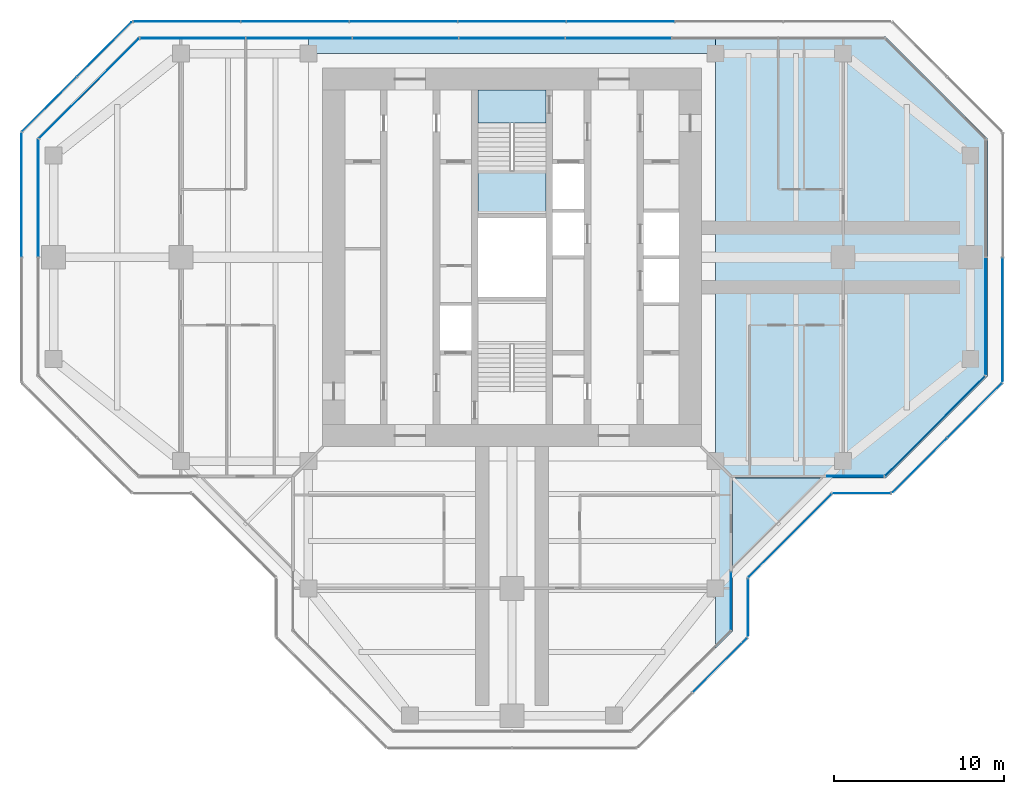
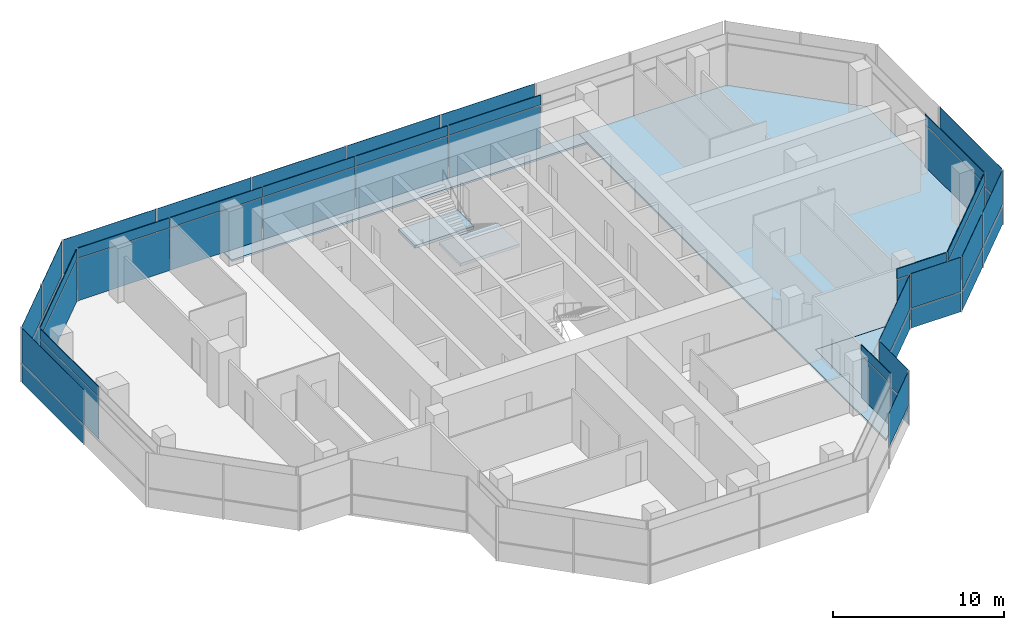
# One storey, part 10 of 16: 51 plates, 5 slabs, 17 elements without a shape of their own.
"""IFC4 building model written with IfcOpenShell, lengths in metres."""

from ifc_helpers import new_model, si_unit, direction, frame, origin, origin_2d, place, context, subcontext, project, spatial, polyline, rectangle, outline, extrude, material, layer, layer_set, type_object, element, aggregate, save


model = new_model("IFC4")

# Units and contexts
model_context = context("Model", 3, precision=1e-05, world=origin(), true_north=direction((0.0, 1.0)))
body_context = subcontext(model_context, "Body", "Model", "MODEL_VIEW")
ifc_project = project(units=[si_unit("LENGTHUNIT", "METRE"), si_unit("AREAUNIT", "SQUARE_METRE"), si_unit("VOLUMEUNIT", "CUBIC_METRE"), si_unit("PLANEANGLEUNIT", "RADIAN"), si_unit("MASSUNIT", "GRAM", prefix="KILO")], contexts=[model_context])

# Site, building, storey
site_placement = place(None, origin())
site = spatial("IfcSite", under=ifc_project, at=site_placement, CompositionType="ELEMENT")
building_placement = place(site_placement, origin())
building = spatial("IfcBuilding", under=site, at=building_placement, Name="Mizan Broadcast Tower", CompositionType="ELEMENT")
storey_placement = place(building_placement, frame((0.0, 0.0, 290.699951171875)))
storey = spatial("IfcBuildingStorey", under=building, at=storey_placement, Name="L69", CompositionType="ELEMENT", Elevation=290.699951171875)

# Slabs
ifc_material_1 = material(Name="Concrete C32/40", Category="concrete")
ifc_layer_1 = layer(ifc_material_1, 0.1298828125)
ifc_layer_set_1 = layer_set([ifc_layer_1], Name="Concrete C32/40")
slab_type_1 = type_object("IfcSlabType", Name="COMPOSITE DECK SLAB 130", PredefinedType="FLOOR", material=ifc_layer_set_1)
slab_1_placement = place(storey_placement, frame((0.0, 0.0, -0.1298828125)))
element("IfcSlab", 1, at=slab_1_placement, inside=storey, type_object=slab_type_1, Name="Floor slab L69 east arm", PredefinedType="FLOOR", context=body_context, shape_type="SweptSolid", body=[
    extrude(outline(polyline([(12.0, -23.0), (13.0, -22.0), (13.0, -13.0), (22.0, -13.0), (28.0, -7.0), (28.0, 7.0), (22.0, 13.0), (13.0, 13.0), (12.0, 13.0), (12.0, -23.0)])), origin(), (0.0, 0.0, 1.0), 0.1298828125),
])
slab_2_placement = place(storey_placement, frame((0.0, 0.0, -0.1298828125)))
element("IfcSlab", 2, at=slab_2_placement, inside=storey, type_object=slab_type_1, Name="Floor slab L69 north arm", PredefinedType="FLOOR", context=body_context, shape_type="SweptSolid", body=[
    extrude(outline(polyline([(12.0, 13.0), (-12.0, 13.0), (-12.0, 12.0), (12.0, 12.0), (12.0, 13.0)])), origin(), (0.0, 0.0, 1.0), 0.1298828125),
])

# Curtain wall, plate
ifc_material_2 = material(Name="Aluminium framed glazing", Category="aluminium")
curtain_wall_type_1 = type_object("IfcCurtainWallType", Name="INNER SKIN TOP ZONE", PredefinedType="USERDEFINED", material=ifc_material_2)
curtain_wall_1_placement = place(storey_placement, origin())
curtain_wall_1 = element("IfcCurtainWall", 3, at=curtain_wall_1_placement, inside=storey, type_object=curtain_wall_type_1, Name="Inner skin top zone L69 E side", ObjectType="INNER SKIN TOP ZONE", PredefinedType="USERDEFINED")
ifc_material_3 = material(Name="Double glazing, clear low-e", Category="glass")
ifc_layer_2 = layer(ifc_material_3, 0.028076171875)
ifc_layer_set_2 = layer_set([ifc_layer_2], Name="Double glazing, clear low-e")
plate_type_1 = type_object("IfcPlateType", Name="INNER SKIN GLAZING UNIT", PredefinedType="CURTAIN_PANEL", material=ifc_layer_set_2)
plate_1_placement = place(storey_placement, frame((20.229248046875, -12.89990234375, 0.0), z_axis=(0.0, 0.0, 1.0), x_axis=(1.0, 0.0, 0.0)))
plate_1 = element("IfcPlate", 4, at=plate_1_placement, type_object=plate_type_1, Name="Inner skin top zone L69 E side panel 1.1", PredefinedType="CURTAIN_PANEL", context=body_context, shape_type="SweptSolid", body=[
    extrude(rectangle(XDim=3.338623046875, YDim=0.028076171875, at=origin_2d()), origin(), (0.0, 0.0, 1.0), 3.0),
])

curtain_wall_2_placement = place(storey_placement, origin())
curtain_wall_2 = element("IfcCurtainWall", 5, at=curtain_wall_2_placement, inside=storey, type_object=curtain_wall_type_1, Name="Inner skin top zone L69 E chamfer", ObjectType="INNER SKIN TOP ZONE", PredefinedType="USERDEFINED")
plate_2_placement = place(storey_placement, frame((24.92919921875, -9.92919921875, 0.0), z_axis=(0.0, 0.0, 1.0), x_axis=(0.707106781187, 0.707106781187, 0.0)))
plate_2 = element("IfcPlate", 6, at=plate_2_placement, type_object=plate_type_1, Name="Inner skin top zone L69 E chamfer panel 1.1", PredefinedType="CURTAIN_PANEL", context=body_context, shape_type="SweptSolid", body=[
    extrude(rectangle(XDim=8.282470703125, YDim=0.028076171875, at=origin_2d()), origin(), (0.0, 0.0, 1.0), 3.0),
])

curtain_wall_3_placement = place(storey_placement, origin())
curtain_wall_3 = element("IfcCurtainWall", 7, at=curtain_wall_3_placement, inside=storey, type_object=curtain_wall_type_1, Name="Inner skin top zone L69 E end", ObjectType="INNER SKIN TOP ZONE", PredefinedType="USERDEFINED")
plate_3_placement = place(storey_placement, frame((27.89990234375, -3.46435546875, 0.0), z_axis=(0.0, 0.0, 1.0), x_axis=(0.0, 1.0, 0.0)))
plate_3 = element("IfcPlate", 8, at=plate_3_placement, type_object=plate_type_1, Name="Inner skin top zone L69 E end panel 1.1", PredefinedType="CURTAIN_PANEL", context=body_context, shape_type="SweptSolid", body=[
    extrude(rectangle(XDim=6.86865234375, YDim=0.028076171875, at=origin_2d()), origin(), (0.0, 0.0, 1.0), 3.0),
])

# Curtain wall, plates
curtain_wall_4_placement = place(storey_placement, origin())
curtain_wall_4 = element("IfcCurtainWall", 9, at=curtain_wall_4_placement, inside=storey, type_object=curtain_wall_type_1, Name="Inner skin top zone L69 N end", ObjectType="INNER SKIN TOP ZONE", PredefinedType="USERDEFINED")
plate_4_placement = place(storey_placement, frame((6.27392578125, 12.89990234375, 0.0), z_axis=(0.0, 0.0, 1.0), x_axis=(-1.0, 0.0, 0.0)))
plate_4 = element("IfcPlate", 10, at=plate_4_placement, type_object=plate_type_1, Name="Inner skin top zone L69 N end panel 3.1", PredefinedType="CURTAIN_PANEL", context=body_context, shape_type="SweptSolid", body=[
    extrude(rectangle(XDim=6.2138671875, YDim=0.028076171875, at=origin_2d()), origin(), (0.0, 0.0, 1.0), 3.0),
])
plate_5_placement = place(storey_placement, frame((0.0, 12.89990234375, 0.0), z_axis=(0.0, 0.0, 1.0), x_axis=(-1.0, 0.0, 0.0)))
plate_5 = element("IfcPlate", 11, at=plate_5_placement, type_object=plate_type_1, Name="Inner skin top zone L69 N end panel 4.1", PredefinedType="CURTAIN_PANEL", context=body_context, shape_type="SweptSolid", body=[
    extrude(rectangle(XDim=6.2138671875, YDim=0.028076171875, at=origin_2d()), origin(), (0.0, 0.0, 1.0), 3.0),
])
plate_6_placement = place(storey_placement, frame((-6.27392578125, 12.89990234375, 0.0), z_axis=(0.0, 0.0, 1.0), x_axis=(-1.0, 0.0, 0.0)))
plate_6 = element("IfcPlate", 12, at=plate_6_placement, type_object=plate_type_1, Name="Inner skin top zone L69 N end panel 5.1", PredefinedType="CURTAIN_PANEL", context=body_context, shape_type="SweptSolid", body=[
    extrude(rectangle(XDim=6.2138671875, YDim=0.028076171875, at=origin_2d()), origin(), (0.0, 0.0, 1.0), 3.0),
])
plate_7_placement = place(storey_placement, frame((-12.5478515625, 12.89990234375, 0.0), z_axis=(0.0, 0.0, 1.0), x_axis=(-1.0, 0.0, 0.0)))
plate_7 = element("IfcPlate", 13, at=plate_7_placement, type_object=plate_type_1, Name="Inner skin top zone L69 N end panel 6.1", PredefinedType="CURTAIN_PANEL", context=body_context, shape_type="SweptSolid", body=[
    extrude(rectangle(XDim=6.2138671875, YDim=0.028076171875, at=origin_2d()), origin(), (0.0, 0.0, 1.0), 3.0),
])
plate_8_placement = place(storey_placement, frame((-18.806640625, 12.89990234375, 0.0), z_axis=(0.0, 0.0, 1.0), x_axis=(-1.0, 0.0, 0.0)))
plate_8 = element("IfcPlate", 14, at=plate_8_placement, type_object=plate_type_1, Name="Inner skin top zone L69 N end panel 7.1", PredefinedType="CURTAIN_PANEL", context=body_context, shape_type="SweptSolid", body=[
    extrude(rectangle(XDim=6.183837890625, YDim=0.028076171875, at=origin_2d()), origin(), (0.0, 0.0, 1.0), 3.0),
])

# Curtain wall, plate
curtain_wall_5_placement = place(storey_placement, origin())
curtain_wall_5 = element("IfcCurtainWall", 15, at=curtain_wall_5_placement, inside=storey, type_object=curtain_wall_type_1, Name="Inner skin top zone L69 W chamfer", ObjectType="INNER SKIN TOP ZONE", PredefinedType="USERDEFINED")
plate_9_placement = place(storey_placement, frame((-24.92919921875, 9.92919921875, 0.0), z_axis=(0.0, 0.0, 1.0), x_axis=(-0.707106781187, -0.707106781187, 0.0)))
plate_9 = element("IfcPlate", 16, at=plate_9_placement, type_object=plate_type_1, Name="Inner skin top zone L69 W chamfer panel 1.1", PredefinedType="CURTAIN_PANEL", context=body_context, shape_type="SweptSolid", body=[
    extrude(rectangle(XDim=8.282470703125, YDim=0.028076171875, at=origin_2d()), origin(), (0.0, 0.0, 1.0), 3.0),
])

curtain_wall_6_placement = place(storey_placement, origin())
curtain_wall_6 = element("IfcCurtainWall", 17, at=curtain_wall_6_placement, inside=storey, type_object=curtain_wall_type_1, Name="Inner skin top zone L69 W end", ObjectType="INNER SKIN TOP ZONE", PredefinedType="USERDEFINED")
plate_10_placement = place(storey_placement, frame((-27.89990234375, 3.46435546875, 0.0), z_axis=(0.0, 0.0, 1.0), x_axis=(0.0, -1.0, 0.0)))
plate_10 = element("IfcPlate", 18, at=plate_10_placement, type_object=plate_type_1, Name="Inner skin top zone L69 W end panel 1.1", PredefinedType="CURTAIN_PANEL", context=body_context, shape_type="SweptSolid", body=[
    extrude(rectangle(XDim=6.86865234375, YDim=0.028076171875, at=origin_2d()), origin(), (0.0, 0.0, 1.0), 3.0),
])

curtain_wall_7_placement = place(storey_placement, origin())
curtain_wall_7 = element("IfcCurtainWall", 19, at=curtain_wall_7_placement, inside=storey, type_object=curtain_wall_type_1, Name="Inner skin top zone L69 S side", ObjectType="INNER SKIN TOP ZONE", PredefinedType="USERDEFINED")
plate_11_placement = place(storey_placement, frame((12.89990234375, -20.229248046875, 0.0), z_axis=(0.0, 0.0, 1.0), x_axis=(0.0, 1.0, 0.0)))
plate_11 = element("IfcPlate", 20, at=plate_11_placement, type_object=plate_type_1, Name="Inner skin top zone L69 S side panel 1.1", PredefinedType="CURTAIN_PANEL", context=body_context, shape_type="SweptSolid", body=[
    extrude(rectangle(XDim=3.338623046875, YDim=0.028076171875, at=origin_2d()), origin(), (0.0, 0.0, 1.0), 3.0),
])

# Plate
ifc_material_4 = material(Name="Insulated aluminium spandrel panel, pale anodised", Category="aluminium")
ifc_layer_3 = layer(ifc_material_4, 0.050048828125)
ifc_layer_set_3 = layer_set([ifc_layer_3], Name="Insulated aluminium spandrel panel, pale anodised")
plate_type_2 = type_object("IfcPlateType", Name="INNER SKIN SPANDREL PANEL", PredefinedType="CURTAIN_PANEL", material=ifc_layer_set_3)
plate_12_placement = place(storey_placement, frame((20.229248046875, -12.89990234375, 3.06005859375), z_axis=(0.0, 0.0, 1.0), x_axis=(1.0, 0.0, 0.0)))
plate_12 = element("IfcPlate", 21, at=plate_12_placement, type_object=plate_type_2, Name="Inner skin top zone L69 E side panel 1.2", PredefinedType="CURTAIN_PANEL", context=body_context, shape_type="SweptSolid", body=[
    extrude(rectangle(XDim=3.338623046875, YDim=0.050048828125, at=origin_2d()), origin(), (0.0, 0.0, 1.0), 0.7099609375),
])

aggregate(curtain_wall_1, [plate_1, plate_12])

plate_13_placement = place(storey_placement, frame((24.92919921875, -9.92919921875, 3.06005859375), z_axis=(0.0, 0.0, 1.0), x_axis=(0.707106781187, 0.707106781187, 0.0)))
plate_13 = element("IfcPlate", 22, at=plate_13_placement, type_object=plate_type_2, Name="Inner skin top zone L69 E chamfer panel 1.2", PredefinedType="CURTAIN_PANEL", context=body_context, shape_type="SweptSolid", body=[
    extrude(rectangle(XDim=8.282470703125, YDim=0.050048828125, at=origin_2d()), origin(), (0.0, 0.0, 1.0), 0.7099609375),
])

aggregate(curtain_wall_2, [plate_2, plate_13])

plate_14_placement = place(storey_placement, frame((27.89990234375, -3.46435546875, 3.06005859375), z_axis=(0.0, 0.0, 1.0), x_axis=(0.0, 1.0, 0.0)))
plate_14 = element("IfcPlate", 23, at=plate_14_placement, type_object=plate_type_2, Name="Inner skin top zone L69 E end panel 1.2", PredefinedType="CURTAIN_PANEL", context=body_context, shape_type="SweptSolid", body=[
    extrude(rectangle(XDim=6.86865234375, YDim=0.050048828125, at=origin_2d()), origin(), (0.0, 0.0, 1.0), 0.7099609375),
])

aggregate(curtain_wall_3, [plate_3, plate_14])

plate_15_placement = place(storey_placement, frame((6.27392578125, 12.89990234375, 3.06005859375), z_axis=(0.0, 0.0, 1.0), x_axis=(-1.0, 0.0, 0.0)))
plate_15 = element("IfcPlate", 24, at=plate_15_placement, type_object=plate_type_2, Name="Inner skin top zone L69 N end panel 3.2", PredefinedType="CURTAIN_PANEL", context=body_context, shape_type="SweptSolid", body=[
    extrude(rectangle(XDim=6.2138671875, YDim=0.050048828125, at=origin_2d()), origin(), (0.0, 0.0, 1.0), 0.7099609375),
])

plate_16_placement = place(storey_placement, frame((0.0, 12.89990234375, 3.06005859375), z_axis=(0.0, 0.0, 1.0), x_axis=(-1.0, 0.0, 0.0)))
plate_16 = element("IfcPlate", 25, at=plate_16_placement, type_object=plate_type_2, Name="Inner skin top zone L69 N end panel 4.2", PredefinedType="CURTAIN_PANEL", context=body_context, shape_type="SweptSolid", body=[
    extrude(rectangle(XDim=6.2138671875, YDim=0.050048828125, at=origin_2d()), origin(), (0.0, 0.0, 1.0), 0.7099609375),
])

plate_17_placement = place(storey_placement, frame((-6.27392578125, 12.89990234375, 3.06005859375), z_axis=(0.0, 0.0, 1.0), x_axis=(-1.0, 0.0, 0.0)))
plate_17 = element("IfcPlate", 26, at=plate_17_placement, type_object=plate_type_2, Name="Inner skin top zone L69 N end panel 5.2", PredefinedType="CURTAIN_PANEL", context=body_context, shape_type="SweptSolid", body=[
    extrude(rectangle(XDim=6.2138671875, YDim=0.050048828125, at=origin_2d()), origin(), (0.0, 0.0, 1.0), 0.7099609375),
])

plate_18_placement = place(storey_placement, frame((-12.5478515625, 12.89990234375, 3.06005859375), z_axis=(0.0, 0.0, 1.0), x_axis=(-1.0, 0.0, 0.0)))
plate_18 = element("IfcPlate", 27, at=plate_18_placement, type_object=plate_type_2, Name="Inner skin top zone L69 N end panel 6.2", PredefinedType="CURTAIN_PANEL", context=body_context, shape_type="SweptSolid", body=[
    extrude(rectangle(XDim=6.2138671875, YDim=0.050048828125, at=origin_2d()), origin(), (0.0, 0.0, 1.0), 0.7099609375),
])

plate_19_placement = place(storey_placement, frame((-18.806640625, 12.89990234375, 3.06005859375), z_axis=(0.0, 0.0, 1.0), x_axis=(-1.0, 0.0, 0.0)))
plate_19 = element("IfcPlate", 28, at=plate_19_placement, type_object=plate_type_2, Name="Inner skin top zone L69 N end panel 7.2", PredefinedType="CURTAIN_PANEL", context=body_context, shape_type="SweptSolid", body=[
    extrude(rectangle(XDim=6.183837890625, YDim=0.050048828125, at=origin_2d()), origin(), (0.0, 0.0, 1.0), 0.7099609375),
])

aggregate(curtain_wall_4, [plate_4, plate_15, plate_5, plate_16, plate_6, plate_17, plate_7, plate_18, plate_8, plate_19])

plate_20_placement = place(storey_placement, frame((-24.92919921875, 9.92919921875, 3.06005859375), z_axis=(0.0, 0.0, 1.0), x_axis=(-0.707106781187, -0.707106781187, 0.0)))
plate_20 = element("IfcPlate", 29, at=plate_20_placement, type_object=plate_type_2, Name="Inner skin top zone L69 W chamfer panel 1.2", PredefinedType="CURTAIN_PANEL", context=body_context, shape_type="SweptSolid", body=[
    extrude(rectangle(XDim=8.282470703125, YDim=0.050048828125, at=origin_2d()), origin(), (0.0, 0.0, 1.0), 0.7099609375),
])

aggregate(curtain_wall_5, [plate_9, plate_20])

plate_21_placement = place(storey_placement, frame((-27.89990234375, 3.46435546875, 3.06005859375), z_axis=(0.0, 0.0, 1.0), x_axis=(0.0, -1.0, 0.0)))
plate_21 = element("IfcPlate", 30, at=plate_21_placement, type_object=plate_type_2, Name="Inner skin top zone L69 W end panel 1.2", PredefinedType="CURTAIN_PANEL", context=body_context, shape_type="SweptSolid", body=[
    extrude(rectangle(XDim=6.86865234375, YDim=0.050048828125, at=origin_2d()), origin(), (0.0, 0.0, 1.0), 0.7099609375),
])

aggregate(curtain_wall_6, [plate_10, plate_21])

plate_22_placement = place(storey_placement, frame((12.89990234375, -20.229248046875, 3.06005859375), z_axis=(0.0, 0.0, 1.0), x_axis=(0.0, 1.0, 0.0)))
plate_22 = element("IfcPlate", 31, at=plate_22_placement, type_object=plate_type_2, Name="Inner skin top zone L69 S side panel 1.2", PredefinedType="CURTAIN_PANEL", context=body_context, shape_type="SweptSolid", body=[
    extrude(rectangle(XDim=3.338623046875, YDim=0.050048828125, at=origin_2d()), origin(), (0.0, 0.0, 1.0), 0.7099609375),
])

aggregate(curtain_wall_7, [plate_11, plate_22])

# Curtain wall, plates
ifc_material_5 = material(Name="Aluminium framed glazing", Category="aluminium")
curtain_wall_type_2 = type_object("IfcCurtainWallType", Name="OUTER SKIN", PredefinedType="USERDEFINED", material=ifc_material_5)
curtain_wall_8_placement = place(storey_placement, origin())
curtain_wall_8 = element("IfcCurtainWall", 32, at=curtain_wall_8_placement, inside=storey, type_object=curtain_wall_type_2, Name="Outer skin L69 S side", ObjectType="OUTER SKIN", PredefinedType="USERDEFINED")
ifc_material_6 = material(Name="Laminated clear glass", Category="glass")
ifc_layer_4 = layer(ifc_material_6, 0.02001953125)
ifc_layer_set_4 = layer_set([ifc_layer_4], Name="Laminated clear glass")
plate_type_3 = type_object("IfcPlateType", Name="OUTER SKIN CLEAR GLASS", PredefinedType="CURTAIN_PANEL", material=ifc_layer_set_4)
plate_23_placement = place(storey_placement, frame((13.89990234375, -20.622802734375, 0.0), z_axis=(0.0, 0.0, 1.0), x_axis=(0.0, 1.0, 0.0)))
plate_23 = element("IfcPlate", 33, at=plate_23_placement, type_object=plate_type_3, Name="Outer skin L69 S side panel 1.1", PredefinedType="CURTAIN_PANEL", context=body_context, shape_type="SweptSolid", body=[
    extrude(rectangle(XDim=3.340087890625, YDim=0.02001953125, at=origin_2d()), origin(), (0.0, 0.0, 1.0), 1.3701171875),
])
plate_24_placement = place(storey_placement, frame((13.89990234375, -20.622802734375, 1.43017578125), z_axis=(0.0, 0.0, 1.0), x_axis=(0.0, 1.0, 0.0)))
plate_24 = element("IfcPlate", 34, at=plate_24_placement, type_object=plate_type_3, Name="Outer skin L69 S side panel 1.2", PredefinedType="CURTAIN_PANEL", context=body_context, shape_type="SweptSolid", body=[
    extrude(rectangle(XDim=3.340087890625, YDim=0.02001953125, at=origin_2d()), origin(), (0.0, 0.0, 1.0), 2.469970703125),
])
aggregate(curtain_wall_8, [plate_23, plate_24])

curtain_wall_9_placement = place(storey_placement, origin())
curtain_wall_9 = element("IfcCurtainWall", 35, at=curtain_wall_9_placement, inside=storey, type_object=curtain_wall_type_2, Name="Outer skin L69 E chamfer", ObjectType="OUTER SKIN", PredefinedType="USERDEFINED")
plate_25_placement = place(storey_placement, frame((16.386474609375, -16.386474609375, 0.0), z_axis=(0.0, 0.0, 1.0), x_axis=(0.707106781187, 0.707106781187, 0.0)))
plate_25 = element("IfcPlate", 36, at=plate_25_placement, type_object=plate_type_3, Name="Outer skin L69 E chamfer panel 1.1", PredefinedType="CURTAIN_PANEL", context=body_context, shape_type="SweptSolid", body=[
    extrude(rectangle(XDim=6.87255859375, YDim=0.02001953125, at=origin_2d()), origin(), (0.0, 0.0, 1.0), 1.3701171875),
])
plate_26_placement = place(storey_placement, frame((16.386474609375, -16.386474609375, 1.43017578125), z_axis=(0.0, 0.0, 1.0), x_axis=(0.707106781187, 0.707106781187, 0.0)))
plate_26 = element("IfcPlate", 37, at=plate_26_placement, type_object=plate_type_3, Name="Outer skin L69 E chamfer panel 1.2", PredefinedType="CURTAIN_PANEL", context=body_context, shape_type="SweptSolid", body=[
    extrude(rectangle(XDim=6.87255859375, YDim=0.02001953125, at=origin_2d()), origin(), (0.0, 0.0, 1.0), 2.469970703125),
])
aggregate(curtain_wall_9, [plate_25, plate_26])

curtain_wall_10_placement = place(storey_placement, origin())
curtain_wall_10 = element("IfcCurtainWall", 38, at=curtain_wall_10_placement, inside=storey, type_object=curtain_wall_type_2, Name="Outer skin L69 E side", ObjectType="OUTER SKIN", PredefinedType="USERDEFINED")
plate_27_placement = place(storey_placement, frame((20.622802734375, -13.89990234375, 0.0), z_axis=(0.0, 0.0, 1.0), x_axis=(1.0, 0.0, 0.0)))
plate_27 = element("IfcPlate", 39, at=plate_27_placement, type_object=plate_type_3, Name="Outer skin L69 E side panel 1.1", PredefinedType="CURTAIN_PANEL", context=body_context, shape_type="SweptSolid", body=[
    extrude(rectangle(XDim=3.340087890625, YDim=0.02001953125, at=origin_2d()), origin(), (0.0, 0.0, 1.0), 1.3701171875),
])
plate_28_placement = place(storey_placement, frame((20.622802734375, -13.89990234375, 1.43017578125), z_axis=(0.0, 0.0, 1.0), x_axis=(1.0, 0.0, 0.0)))
plate_28 = element("IfcPlate", 40, at=plate_28_placement, type_object=plate_type_3, Name="Outer skin L69 E side panel 1.2", PredefinedType="CURTAIN_PANEL", context=body_context, shape_type="SweptSolid", body=[
    extrude(rectangle(XDim=3.340087890625, YDim=0.02001953125, at=origin_2d()), origin(), (0.0, 0.0, 1.0), 2.469970703125),
])
aggregate(curtain_wall_10, [plate_27, plate_28])

curtain_wall_11_placement = place(storey_placement, origin())
curtain_wall_11 = element("IfcCurtainWall", 41, at=curtain_wall_11_placement, inside=storey, type_object=curtain_wall_type_2, Name="Outer skin L69 E chamfer", ObjectType="OUTER SKIN", PredefinedType="USERDEFINED")
plate_29_placement = place(storey_placement, frame((24.018798828125, -12.254150390625, 0.0), z_axis=(0.0, 0.0, 1.0), x_axis=(0.707106781187, 0.707106781187, 0.0)))
plate_29 = element("IfcPlate", 42, at=plate_29_placement, type_object=plate_type_3, Name="Outer skin L69 E chamfer panel 1.1", PredefinedType="CURTAIN_PANEL", context=body_context, shape_type="SweptSolid", body=[
    extrude(rectangle(XDim=4.495361328125, YDim=0.02001953125, at=origin_2d()), origin(), (0.0, 0.0, 1.0), 1.3701171875),
])
plate_30_placement = place(storey_placement, frame((24.018798828125, -12.254150390625, 1.43017578125), z_axis=(0.0, 0.0, 1.0), x_axis=(0.707106781187, 0.707106781187, 0.0)))
plate_30 = element("IfcPlate", 43, at=plate_30_placement, type_object=plate_type_3, Name="Outer skin L69 E chamfer panel 1.2", PredefinedType="CURTAIN_PANEL", context=body_context, shape_type="SweptSolid", body=[
    extrude(rectangle(XDim=4.495361328125, YDim=0.02001953125, at=origin_2d()), origin(), (0.0, 0.0, 1.0), 2.469970703125),
])

curtain_wall_12_placement = place(storey_placement, origin())
curtain_wall_12 = element("IfcCurtainWall", 44, at=curtain_wall_12_placement, inside=storey, type_object=curtain_wall_type_2, Name="Outer skin L69 E end", ObjectType="OUTER SKIN", PredefinedType="USERDEFINED")
plate_31_placement = place(storey_placement, frame((28.89990234375, -3.66650390625, 0.0), z_axis=(0.0, 0.0, 1.0), x_axis=(0.0, 1.0, 0.0)))
plate_31 = element("IfcPlate", 45, at=plate_31_placement, type_object=plate_type_3, Name="Outer skin L69 E end panel 1.1", PredefinedType="CURTAIN_PANEL", context=body_context, shape_type="SweptSolid", body=[
    extrude(rectangle(XDim=7.252685546875, YDim=0.02001953125, at=origin_2d()), origin(), (0.0, 0.0, 1.0), 1.3701171875),
])
plate_32_placement = place(storey_placement, frame((28.89990234375, -3.66650390625, 1.43017578125), z_axis=(0.0, 0.0, 1.0), x_axis=(0.0, 1.0, 0.0)))
plate_32 = element("IfcPlate", 46, at=plate_32_placement, type_object=plate_type_3, Name="Outer skin L69 E end panel 1.2", PredefinedType="CURTAIN_PANEL", context=body_context, shape_type="SweptSolid", body=[
    extrude(rectangle(XDim=7.252685546875, YDim=0.02001953125, at=origin_2d()), origin(), (0.0, 0.0, 1.0), 2.469970703125),
])
aggregate(curtain_wall_12, [plate_31, plate_32])

curtain_wall_13_placement = place(storey_placement, origin())
curtain_wall_13 = element("IfcCurtainWall", 47, at=curtain_wall_13_placement, inside=storey, type_object=curtain_wall_type_2, Name="Outer skin L69 N end", ObjectType="OUTER SKIN", PredefinedType="USERDEFINED")
plate_33_placement = place(storey_placement, frame((6.392333984375, 13.89990234375, 0.0), z_axis=(0.0, 0.0, 1.0), x_axis=(-1.0, 0.0, 0.0)))
plate_33 = element("IfcPlate", 48, at=plate_33_placement, type_object=plate_type_3, Name="Outer skin L69 N end panel 3.1", PredefinedType="CURTAIN_PANEL", context=body_context, shape_type="SweptSolid", body=[
    extrude(rectangle(XDim=6.312255859375, YDim=0.02001953125, at=origin_2d()), origin(), (0.0, 0.0, 1.0), 1.3701171875),
])
plate_34_placement = place(storey_placement, frame((6.392333984375, 13.89990234375, 1.43017578125), z_axis=(0.0, 0.0, 1.0), x_axis=(-1.0, 0.0, 0.0)))
plate_34 = element("IfcPlate", 49, at=plate_34_placement, type_object=plate_type_3, Name="Outer skin L69 N end panel 3.2", PredefinedType="CURTAIN_PANEL", context=body_context, shape_type="SweptSolid", body=[
    extrude(rectangle(XDim=6.312255859375, YDim=0.02001953125, at=origin_2d()), origin(), (0.0, 0.0, 1.0), 2.469970703125),
])
plate_35_placement = place(storey_placement, frame((0.0, 13.89990234375, 0.0), z_axis=(0.0, 0.0, 1.0), x_axis=(-1.0, 0.0, 0.0)))
plate_35 = element("IfcPlate", 50, at=plate_35_placement, type_object=plate_type_3, Name="Outer skin L69 N end panel 4.1", PredefinedType="CURTAIN_PANEL", context=body_context, shape_type="SweptSolid", body=[
    extrude(rectangle(XDim=6.312255859375, YDim=0.02001953125, at=origin_2d()), origin(), (0.0, 0.0, 1.0), 1.3701171875),
])
plate_36_placement = place(storey_placement, frame((0.0, 13.89990234375, 1.43017578125), z_axis=(0.0, 0.0, 1.0), x_axis=(-1.0, 0.0, 0.0)))
plate_36 = element("IfcPlate", 51, at=plate_36_placement, type_object=plate_type_3, Name="Outer skin L69 N end panel 4.2", PredefinedType="CURTAIN_PANEL", context=body_context, shape_type="SweptSolid", body=[
    extrude(rectangle(XDim=6.312255859375, YDim=0.02001953125, at=origin_2d()), origin(), (0.0, 0.0, 1.0), 2.469970703125),
])
plate_37_placement = place(storey_placement, frame((-6.392333984375, 13.89990234375, 0.0), z_axis=(0.0, 0.0, 1.0), x_axis=(-1.0, 0.0, 0.0)))
plate_37 = element("IfcPlate", 52, at=plate_37_placement, type_object=plate_type_3, Name="Outer skin L69 N end panel 5.1", PredefinedType="CURTAIN_PANEL", context=body_context, shape_type="SweptSolid", body=[
    extrude(rectangle(XDim=6.312255859375, YDim=0.02001953125, at=origin_2d()), origin(), (0.0, 0.0, 1.0), 1.3701171875),
])
plate_38_placement = place(storey_placement, frame((-6.392333984375, 13.89990234375, 1.43017578125), z_axis=(0.0, 0.0, 1.0), x_axis=(-1.0, 0.0, 0.0)))
plate_38 = element("IfcPlate", 53, at=plate_38_placement, type_object=plate_type_3, Name="Outer skin L69 N end panel 5.2", PredefinedType="CURTAIN_PANEL", context=body_context, shape_type="SweptSolid", body=[
    extrude(rectangle(XDim=6.312255859375, YDim=0.02001953125, at=origin_2d()), origin(), (0.0, 0.0, 1.0), 2.469970703125),
])
plate_39_placement = place(storey_placement, frame((-12.784423828125, 13.89990234375, 0.0), z_axis=(0.0, 0.0, 1.0), x_axis=(-1.0, 0.0, 0.0)))
plate_39 = element("IfcPlate", 54, at=plate_39_placement, type_object=plate_type_3, Name="Outer skin L69 N end panel 6.1", PredefinedType="CURTAIN_PANEL", context=body_context, shape_type="SweptSolid", body=[
    extrude(rectangle(XDim=6.312255859375, YDim=0.02001953125, at=origin_2d()), origin(), (0.0, 0.0, 1.0), 1.3701171875),
])
plate_40_placement = place(storey_placement, frame((-12.784423828125, 13.89990234375, 1.43017578125), z_axis=(0.0, 0.0, 1.0), x_axis=(-1.0, 0.0, 0.0)))
plate_40 = element("IfcPlate", 55, at=plate_40_placement, type_object=plate_type_3, Name="Outer skin L69 N end panel 6.2", PredefinedType="CURTAIN_PANEL", context=body_context, shape_type="SweptSolid", body=[
    extrude(rectangle(XDim=6.312255859375, YDim=0.02001953125, at=origin_2d()), origin(), (0.0, 0.0, 1.0), 2.469970703125),
])
plate_41_placement = place(storey_placement, frame((-19.15673828125, 13.89990234375, 0.0), z_axis=(0.0, 0.0, 1.0), x_axis=(-1.0, 0.0, 0.0)))
plate_41 = element("IfcPlate", 56, at=plate_41_placement, type_object=plate_type_3, Name="Outer skin L69 N end panel 7.1", PredefinedType="CURTAIN_PANEL", context=body_context, shape_type="SweptSolid", body=[
    extrude(rectangle(XDim=6.272216796875, YDim=0.02001953125, at=origin_2d()), origin(), (0.0, 0.0, 1.0), 1.3701171875),
])
plate_42_placement = place(storey_placement, frame((-19.15673828125, 13.89990234375, 1.43017578125), z_axis=(0.0, 0.0, 1.0), x_axis=(-1.0, 0.0, 0.0)))
plate_42 = element("IfcPlate", 57, at=plate_42_placement, type_object=plate_type_3, Name="Outer skin L69 N end panel 7.2", PredefinedType="CURTAIN_PANEL", context=body_context, shape_type="SweptSolid", body=[
    extrude(rectangle(XDim=6.272216796875, YDim=0.02001953125, at=origin_2d()), origin(), (0.0, 0.0, 1.0), 2.469970703125),
])
aggregate(curtain_wall_13, [plate_33, plate_34, plate_35, plate_36, plate_37, plate_38, plate_39, plate_40, plate_41, plate_42])

curtain_wall_14_placement = place(storey_placement, origin())
curtain_wall_14 = element("IfcCurtainWall", 58, at=curtain_wall_14_placement, inside=storey, type_object=curtain_wall_type_2, Name="Outer skin L69 W chamfer", ObjectType="OUTER SKIN", PredefinedType="USERDEFINED")
plate_43_placement = place(storey_placement, frame((-24.018798828125, 12.254150390625, 0.0), z_axis=(0.0, 0.0, 1.0), x_axis=(-0.707106781187, -0.707106781187, 0.0)))
plate_43 = element("IfcPlate", 59, at=plate_43_placement, type_object=plate_type_3, Name="Outer skin L69 W chamfer panel 1.1", PredefinedType="CURTAIN_PANEL", context=body_context, shape_type="SweptSolid", body=[
    extrude(rectangle(XDim=4.495361328125, YDim=0.02001953125, at=origin_2d()), origin(), (0.0, 0.0, 1.0), 1.3701171875),
])
plate_44_placement = place(storey_placement, frame((-24.018798828125, 12.254150390625, 1.43017578125), z_axis=(0.0, 0.0, 1.0), x_axis=(-0.707106781187, -0.707106781187, 0.0)))
plate_44 = element("IfcPlate", 60, at=plate_44_placement, type_object=plate_type_3, Name="Outer skin L69 W chamfer panel 1.2", PredefinedType="CURTAIN_PANEL", context=body_context, shape_type="SweptSolid", body=[
    extrude(rectangle(XDim=4.495361328125, YDim=0.02001953125, at=origin_2d()), origin(), (0.0, 0.0, 1.0), 2.469970703125),
])

curtain_wall_15_placement = place(storey_placement, origin())
curtain_wall_15 = element("IfcCurtainWall", 61, at=curtain_wall_15_placement, inside=storey, type_object=curtain_wall_type_2, Name="Outer skin L69 W end", ObjectType="OUTER SKIN", PredefinedType="USERDEFINED")
plate_45_placement = place(storey_placement, frame((-28.89990234375, 3.66650390625, 0.0), z_axis=(0.0, 0.0, 1.0), x_axis=(0.0, -1.0, 0.0)))
plate_45 = element("IfcPlate", 62, at=plate_45_placement, type_object=plate_type_3, Name="Outer skin L69 W end panel 1.1", PredefinedType="CURTAIN_PANEL", context=body_context, shape_type="SweptSolid", body=[
    extrude(rectangle(XDim=7.252685546875, YDim=0.02001953125, at=origin_2d()), origin(), (0.0, 0.0, 1.0), 1.3701171875),
])
plate_46_placement = place(storey_placement, frame((-28.89990234375, 3.66650390625, 1.43017578125), z_axis=(0.0, 0.0, 1.0), x_axis=(0.0, -1.0, 0.0)))
plate_46 = element("IfcPlate", 63, at=plate_46_placement, type_object=plate_type_3, Name="Outer skin L69 W end panel 1.2", PredefinedType="CURTAIN_PANEL", context=body_context, shape_type="SweptSolid", body=[
    extrude(rectangle(XDim=7.252685546875, YDim=0.02001953125, at=origin_2d()), origin(), (0.0, 0.0, 1.0), 2.469970703125),
])
aggregate(curtain_wall_15, [plate_45, plate_46])

# Curtain wall, plate
curtain_wall_16_placement = place(storey_placement, origin())
curtain_wall_16 = element("IfcCurtainWall", 64, at=curtain_wall_16_placement, inside=storey, type_object=curtain_wall_type_2, Name="Outer skin L69 S chamfer", ObjectType="OUTER SKIN", PredefinedType="USERDEFINED")
ifc_material_7 = material(Name="Perforated aluminium, pale anodised", Category="aluminium")
ifc_layer_5 = layer(ifc_material_7, 0.011962890625)
ifc_layer_set_5 = layer_set([ifc_layer_5], Name="Perforated aluminium, pale anodised")
plate_type_4 = type_object("IfcPlateType", Name="OUTER SKIN PERFORATED SCREEN", PredefinedType="USERDEFINED", material=ifc_layer_set_5)
plate_47_placement = place(storey_placement, frame((12.254150390625, -24.018798828125, 1.43017578125), z_axis=(0.0, 0.0, 1.0), x_axis=(0.707106781187, 0.707106781187, 0.0)))
plate_47 = element("IfcPlate", 65, at=plate_47_placement, type_object=plate_type_4, Name="Outer skin L69 S chamfer panel 2.2", ObjectType="SCREEN", PredefinedType="USERDEFINED", context=body_context, shape_type="SweptSolid", body=[
    extrude(rectangle(XDim=4.495361328125, YDim=0.011962890625, at=origin_2d()), origin(), (0.0, 0.0, 1.0), 2.469970703125),
])
aggregate(curtain_wall_16, [plate_47])

# Plate
plate_48_placement = place(storey_placement, frame((27.254150390625, -9.018798828125, 0.0), z_axis=(0.0, 0.0, 1.0), x_axis=(0.707106781187, 0.707106781187, 0.0)))
plate_48 = element("IfcPlate", 66, at=plate_48_placement, type_object=plate_type_4, Name="Outer skin L69 E chamfer panel 2.1", ObjectType="SCREEN", PredefinedType="USERDEFINED", context=body_context, shape_type="SweptSolid", body=[
    extrude(rectangle(XDim=4.495361328125, YDim=0.011962890625, at=origin_2d()), origin(), (0.0, 0.0, 1.0), 1.3701171875),
])

plate_49_placement = place(storey_placement, frame((27.254150390625, -9.018798828125, 1.43017578125), z_axis=(0.0, 0.0, 1.0), x_axis=(0.707106781187, 0.707106781187, 0.0)))
plate_49 = element("IfcPlate", 67, at=plate_49_placement, type_object=plate_type_4, Name="Outer skin L69 E chamfer panel 2.2", ObjectType="SCREEN", PredefinedType="USERDEFINED", context=body_context, shape_type="SweptSolid", body=[
    extrude(rectangle(XDim=4.495361328125, YDim=0.011962890625, at=origin_2d()), origin(), (0.0, 0.0, 1.0), 2.469970703125),
])

aggregate(curtain_wall_11, [plate_29, plate_30, plate_48, plate_49])

plate_50_placement = place(storey_placement, frame((-27.254150390625, 9.018798828125, 0.0), z_axis=(0.0, 0.0, 1.0), x_axis=(-0.707106781187, -0.707106781187, 0.0)))
plate_50 = element("IfcPlate", 68, at=plate_50_placement, type_object=plate_type_4, Name="Outer skin L69 W chamfer panel 2.1", ObjectType="SCREEN", PredefinedType="USERDEFINED", context=body_context, shape_type="SweptSolid", body=[
    extrude(rectangle(XDim=4.495361328125, YDim=0.011962890625, at=origin_2d()), origin(), (0.0, 0.0, 1.0), 1.3701171875),
])

plate_51_placement = place(storey_placement, frame((-27.254150390625, 9.018798828125, 1.43017578125), z_axis=(0.0, 0.0, 1.0), x_axis=(-0.707106781187, -0.707106781187, 0.0)))
plate_51 = element("IfcPlate", 69, at=plate_51_placement, type_object=plate_type_4, Name="Outer skin L69 W chamfer panel 2.2", ObjectType="SCREEN", PredefinedType="USERDEFINED", context=body_context, shape_type="SweptSolid", body=[
    extrude(rectangle(XDim=4.495361328125, YDim=0.011962890625, at=origin_2d()), origin(), (0.0, 0.0, 1.0), 2.469970703125),
])

aggregate(curtain_wall_14, [plate_43, plate_44, plate_50, plate_51])

# Stair, slabs
ifc_material_8 = material(Name="Concrete C40/50", Category="concrete")
stair_type = type_object("IfcStairType", Name="EXIT STAIR", PredefinedType="HALF_TURN_STAIR", material=ifc_material_8)
stair_placement = place(storey_placement, origin())
stair = element("IfcStair", 70, at=stair_placement, inside=storey, type_object=stair_type, Name="Stair B L69", PredefinedType="HALF_TURN_STAIR")
ifc_material_9 = material(Name="Concrete C40/50", Category="concrete")
ifc_layer_6 = layer(ifc_material_9, 0.199951171875)
ifc_layer_set_6 = layer_set([ifc_layer_6], Name="Concrete C40/50")
slab_type_2 = type_object("IfcSlabType", Name="STAIR LANDING 200", PredefinedType="LANDING", material=ifc_layer_set_6)
slab_3_placement = place(storey_placement, frame((0.0, 0.0, -0.199951171875)))
slab_3 = element("IfcSlab", 71, at=slab_3_placement, type_object=slab_type_2, Name="B landing 1", PredefinedType="LANDING", context=body_context, shape_type="SweptSolid", body=[
    extrude(outline(polyline([(2.0, 9.85009765625), (2.0, 7.89990234375), (-2.0, 7.89990234375), (-2.0, 9.85009765625), (2.0, 9.85009765625)])), origin(), (0.0, 0.0, 1.0), 0.199951171875),
])
slab_4_placement = place(storey_placement, frame((0.0, 0.0, 1.75)))
slab_4 = element("IfcSlab", 72, at=slab_4_placement, type_object=slab_type_2, Name="B landing 2", PredefinedType="LANDING", context=body_context, shape_type="SweptSolid", body=[
    extrude(outline(polyline([(2.0, 5.10009765625), (2.0, 2.574951171875), (-2.0, 2.574951171875), (-2.0, 5.10009765625), (2.0, 5.10009765625)])), origin(), (0.0, 0.0, 1.0), 0.199951171875),
])
aggregate(stair, [slab_3, slab_4])

# Slab
ifc_material_10 = material(Name="Concrete C32/40", Category="concrete")
ifc_layer_7 = layer(ifc_material_10, 0.1298828125)
ifc_layer_set_7 = layer_set([ifc_layer_7], Name="Concrete C32/40")
slab_type_3 = type_object("IfcSlabType", Name="WINTER GARDEN SLAB 130", PredefinedType="FLOOR", material=ifc_layer_set_7)
slab_5_placement = place(storey_placement, frame((0.0, 0.0, -0.1298828125)))
element("IfcSlab", 73, at=slab_5_placement, inside=storey, type_object=slab_type_3, Name="Winter garden slab L69 S", PredefinedType="FLOOR", context=body_context, shape_type="SweptSolid", body=[
    extrude(outline(polyline([(13.0, -13.0), (13.0, -18.5), (18.5, -13.0), (13.0, -13.0)])), origin(), (0.0, 0.0, 1.0), 0.1298828125),
])

save(model, "model.ifc")
